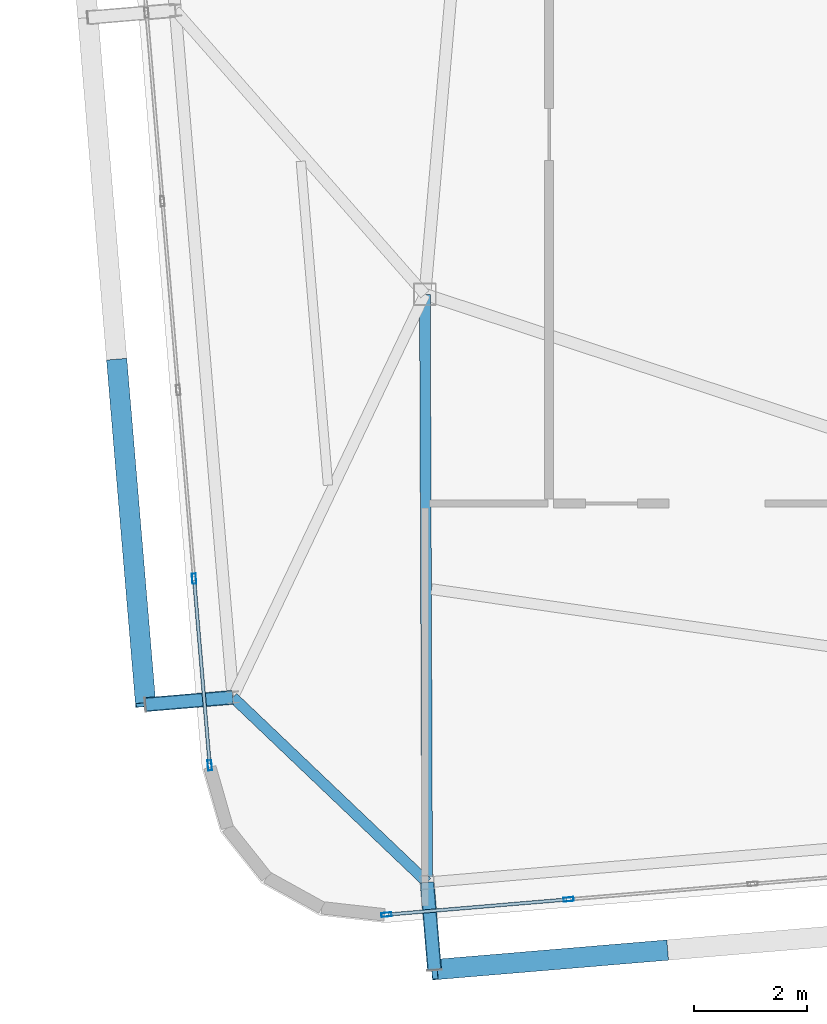
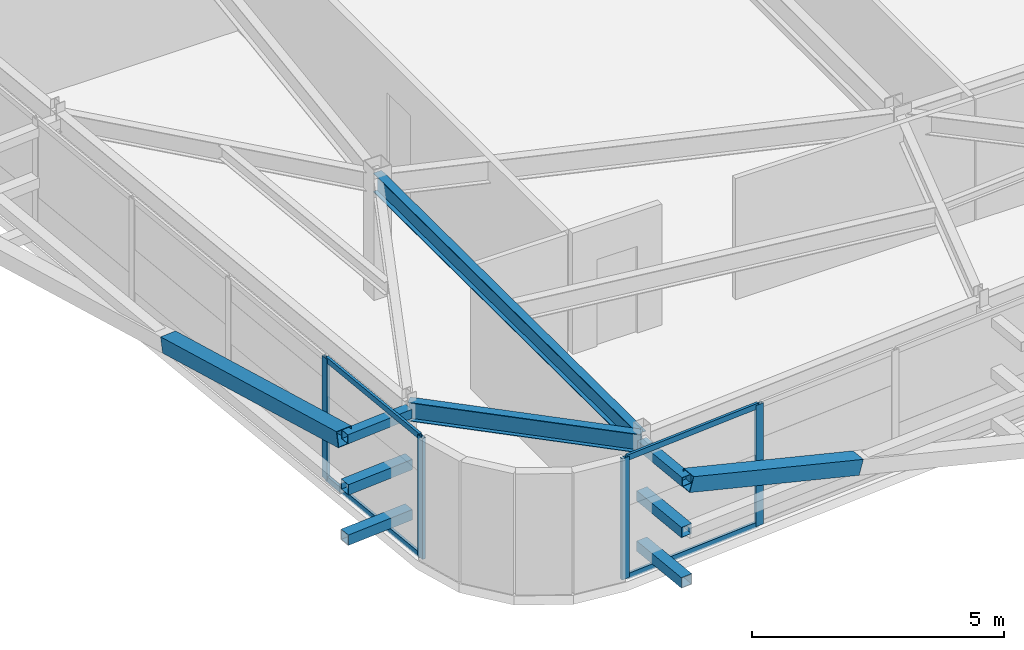
# One storey, part 7 of 46: 16 members, 2 beams, 2 elements without a shape of their own.
"""IFC4 building model written with IfcOpenShell, lengths in metres."""

from ifc_helpers import new_model, si_unit, direction, frame, origin, origin_2d, place, context, subcontext, project, spatial, hollow_rectangle, i_section, extrude, source, transform, mapped, material, layer, layer_set, material_profile, profile_set, type_object, element, aggregate, save


model = new_model("IFC4")

# Units and contexts
model_context = context("Model", 3, precision=1e-05, world=origin(), true_north=direction((0.0, 1.0)))
body_context = subcontext(model_context, "Body", "Model", "MODEL_VIEW")
ifc_project = project(units=[si_unit("LENGTHUNIT", "METRE"), si_unit("AREAUNIT", "SQUARE_METRE"), si_unit("VOLUMEUNIT", "CUBIC_METRE"), si_unit("PLANEANGLEUNIT", "RADIAN"), si_unit("MASSUNIT", "GRAM", prefix="KILO")], contexts=[model_context])

# Site, building, storey
site_placement = place(None, origin())
site = spatial("IfcSite", under=ifc_project, at=site_placement, CompositionType="ELEMENT")
building_placement = place(site_placement, origin())
building = spatial("IfcBuilding", under=site, at=building_placement, Name="Taldren Reach Tower", CompositionType="ELEMENT")
storey_placement = place(building_placement, frame((0.0, 0.0, 188.300048828125)))
storey = spatial("IfcBuildingStorey", under=building, at=storey_placement, Name="L57", CompositionType="ELEMENT", Elevation=188.300048828125)

# Members
ifc_material_1 = material(Name="Steel Gr 350 (C350L0)", Category="steel")
ifc_material_profile_1 = material_profile(ifc_material_1, hollow_rectangle(XDim=0.25, YDim=0.25, WallThickness=0.010009765625, at=origin_2d()), Name="250x250x10.0SHS")
ifc_profile_set_1 = profile_set([ifc_material_profile_1], Name="Steel Gr 350 (C350L0)")
member_type_1 = type_object("IfcMemberType", Name="MB-POST250", PredefinedType="POST", material=ifc_profile_set_1)
shared_shape_1 = source(origin(), body_context, "Body", "SweptSolid", [
    extrude(hollow_rectangle(XDim=0.25, YDim=0.25, WallThickness=0.010009765625, at=origin_2d()), origin(), (0.0, 0.0, 1.0), 1.5498046875),
])
for number, where, z_axis, x_axis, name in (
    (1, (18.03955078125, 2.093994140625, 0.219970703125), (0.083801560254, -0.996482462715, 0.0), (0.996482462715, 0.083801560254, 0.0), "Exoskeleton base diaphragm tie strut B4-S1 L57"),
    (2, (18.03955078125, 2.093994140625, 1.43505859375), (0.083801560254, -0.996482462715, 0.0), (0.996482462715, 0.083801560254, 0.0), "Exoskeleton mid-tier diaphragm tie B4-S1 L57"),
):
    element("IfcMember", number, at=place(storey_placement, frame(where, z_axis=z_axis, x_axis=x_axis)), inside=storey, type_object=member_type_1, Name=name, PredefinedType="POST", context=body_context, shape_type="MappedRepresentation", body=[
        mapped(shared_shape_1, transform((0.0, 0.0, 0.0), scale=1.0)),
    ])

# Beams
ifc_material_2 = material(Name="Steel Gr 350 (350PLUS)", Category="steel")
ifc_material_profile_2 = material_profile(ifc_material_2, i_section(OverallWidth=0.18994140625, OverallDepth=0.4541015625, WebThickness=0.008544921875, FlangeThickness=0.0126953125, at=origin_2d()), Name="460UB67.1")
ifc_profile_set_2 = profile_set([ifc_material_profile_2], Name="Steel Gr 350 (350PLUS)")
beam_type_1 = type_object("IfcBeamType", Name="SP-UB460B", PredefinedType="SPANDREL", material=ifc_profile_set_2)
shared_shape_2 = source(origin(), body_context, "Body", "SweptSolid", [
    extrude(i_section(OverallWidth=0.18994140625, OverallDepth=0.4541015625, WebThickness=0.008544921875, FlangeThickness=0.0126953125, at=origin_2d()), origin(), (0.0, 0.0, 1.0), 4.745849609375),
])
beam_1_placement = place(storey_placement, frame((14.603759765625, 5.367919921875, 2.702880859375), z_axis=(0.723954399605, -0.689847829084, 0.0), x_axis=(0.689847829084, 0.723954399605, 0.0)))
element("IfcBeam", 3, at=beam_1_placement, inside=storey, type_object=beam_type_1, Name="Perimeter spandrel B4 W1-S1 L57", PredefinedType="SPANDREL", context=body_context, shape_type="MappedRepresentation", body=[
    mapped(shared_shape_2, transform((0.0, 0.0, 0.0), scale=1.0)),
])
ifc_material_profile_3 = material_profile(ifc_material_2, i_section(OverallWidth=0.19091796875, OverallDepth=0.4599609375, WebThickness=0.010009765625, FlangeThickness=0.01611328125, at=origin_2d()), Name="460UB82.1")
ifc_profile_set_3 = profile_set([ifc_material_profile_3], Name="Steel Gr 350 (350PLUS)")
beam_type_2 = type_object("IfcBeamType", Name="BM-UB460A", PredefinedType="BEAM", material=ifc_profile_set_3)
shared_shape_3 = source(origin(), body_context, "Body", "SweptSolid", [
    extrude(i_section(OverallWidth=0.19091796875, OverallDepth=0.4599609375, WebThickness=0.010009765625, FlangeThickness=0.01611328125, at=origin_2d()), origin(), (0.0, 0.0, 1.0), 10.406005859375),
])
beam_2_placement = place(storey_placement, frame((18.0, 12.5, 2.699951171875), z_axis=(0.003800737393, -0.999992777172, 0.0), x_axis=(0.999992777172, 0.003800737393, 0.0)))
element("IfcBeam", 4, at=beam_2_placement, inside=storey, type_object=beam_type_2, Name="Primary floor girder B4-S1 L57", PredefinedType="BEAM", context=body_context, shape_type="MappedRepresentation", body=[
    mapped(shared_shape_3, transform((0.0, 0.0, 0.0), scale=1.0)),
])

# Members
ifc_material_3 = material(Name="Steel Gr 450 (C450L0)", Category="steel")
ifc_material_profile_4 = material_profile(ifc_material_3, hollow_rectangle(XDim=0.219970703125, YDim=0.219970703125, WallThickness=0.00830078125, at=origin_2d()), Name="220x220x8.2SHS")
ifc_profile_set_4 = profile_set([ifc_material_profile_4], Name="Steel Gr 450 (C450L0)")
member_type_2 = type_object("IfcMemberType", Name="MB-TIE219", PredefinedType="STRUT", material=ifc_profile_set_4)
shared_shape_4 = source(origin(), body_context, "Body", "SweptSolid", [
    extrude(hollow_rectangle(XDim=0.219970703125, YDim=0.219970703125, WallThickness=0.00830078125, at=origin_2d()), origin(), (0.0, 0.0, 1.0), 1.5498046875),
])
member_1_placement = place(storey_placement, frame((18.03955078125, 2.093994140625, 2.64990234375), z_axis=(0.083801560254, -0.996482462715, 0.0), x_axis=(0.996482462715, 0.083801560254, 0.0)))
element("IfcMember", 5, at=member_1_placement, inside=storey, type_object=member_type_2, Name="Exoskeleton diaphragm tie strut B4-S1 L57", PredefinedType="STRUT", context=body_context, shape_type="MappedRepresentation", body=[
    mapped(shared_shape_4, transform((0.0, 0.0, 0.0), scale=1.0)),
])
shared_shape_5 = source(origin(), body_context, "Body", "SweptSolid", [
    extrude(hollow_rectangle(XDim=0.219970703125, YDim=0.219970703125, WallThickness=0.00830078125, at=origin_2d()), origin(), (0.0, 0.0, 1.0), 1.54541015625),
])
member_2_placement = place(storey_placement, frame((14.59912109375, 5.36767578125, 2.64990234375), z_axis=(-0.99648887425, -0.083725285883, 0.0), x_axis=(0.083725285883, -0.99648887425, 0.0)))
element("IfcMember", 6, at=member_2_placement, inside=storey, type_object=member_type_2, Name="Exoskeleton diaphragm tie strut B4-W1 L57", PredefinedType="STRUT", context=body_context, shape_type="MappedRepresentation", body=[
    mapped(shared_shape_5, transform((0.0, 0.0, 0.0), scale=1.0)),
])
shared_shape_6 = source(origin(), body_context, "Body", "SweptSolid", [
    extrude(hollow_rectangle(XDim=0.25, YDim=0.25, WallThickness=0.010009765625, at=origin_2d()), origin(), (0.0, 0.0, 1.0), 1.54541015625),
])
for number, where, z_axis, x_axis, name in (
    (7, (14.59912109375, 5.36767578125, 0.219970703125), (-0.99648887425, -0.083725285883, 0.0), (0.083725285883, -0.99648887425, 0.0), "Exoskeleton base diaphragm tie strut B4-W1 L57"),
    (8, (14.59912109375, 5.36767578125, 1.43505859375), (-0.99648887425, -0.083725285883, 0.0), (0.083725285883, -0.99648887425, 0.0), "Exoskeleton mid-tier diaphragm tie B4-W1 L57"),
):
    element("IfcMember", number, at=place(storey_placement, frame(where, z_axis=z_axis, x_axis=x_axis)), inside=storey, type_object=member_type_1, Name=name, PredefinedType="POST", context=body_context, shape_type="MappedRepresentation", body=[
        mapped(shared_shape_6, transform((0.0, 0.0, 0.0), scale=1.0)),
    ])
ifc_material_profile_5 = material_profile(ifc_material_3, hollow_rectangle(XDim=0.360107421875, YDim=0.360107421875, WallThickness=0.0126953125, at=origin_2d()), Name="360x360x12.7SHS")
ifc_profile_set_5 = profile_set([ifc_material_profile_5], Name="Steel Gr 450 (C450L0)")
member_type_3 = type_object("IfcMemberType", Name="MB-EXO356", PredefinedType="BRACE", material=ifc_profile_set_5)
shared_shape_7 = source(origin(), body_context, "Body", "SweptSolid", [
    extrude(hollow_rectangle(XDim=0.360107421875, YDim=0.360107421875, WallThickness=0.0126953125, at=origin_2d()), origin(), (0.0, 0.0, 1.0), 4.2666015625),
])
member_3_placement = place(storey_placement, frame((22.2451171875, 0.8916015625, 1.43505859375), z_axis=(-0.955249107127, -0.080166766448, 0.284732212595), x_axis=(0.083628388178, -0.996497010879, 0.0)))
element("IfcMember", 9, at=member_3_placement, inside=storey, type_object=member_type_3, Name="Exoskeleton Diagrid Brace B4-S1 L57", PredefinedType="BRACE", context=body_context, shape_type="MappedRepresentation", body=[
    mapped(shared_shape_7, transform((0.0, 0.0, 0.0), scale=1.0)),
])
shared_shape_8 = source(origin(), body_context, "Body", "SweptSolid", [
    extrude(hollow_rectangle(XDim=0.360107421875, YDim=0.360107421875, WallThickness=0.0126953125, at=origin_2d()), origin(), (0.0, 0.0, 1.0), 6.2197265625),
])
member_4_placement = place(storey_placement, frame((12.548583984375, 11.31689453125, 1.43505859375), z_axis=(0.082076194186, -0.977299417909, 0.19531857593), x_axis=(0.996492003099, 0.083688038336, 0.0)))
element("IfcMember", 10, at=member_4_placement, inside=storey, type_object=member_type_3, Name="Exoskeleton Diagrid Brace B4-W1 L57", PredefinedType="BRACE", context=body_context, shape_type="MappedRepresentation", body=[
    mapped(shared_shape_8, transform((0.0, 0.0, 0.0), scale=1.0)),
])

# Curtain wall, members
ifc_material_4 = material(Name="Aluminium and Low-E Glass Unitised System", Category="aluminium")
ifc_layer = layer(ifc_material_4, 0.159912109375)
ifc_layer_set = layer_set([ifc_layer], Name="Aluminium and Low-E Glass Unitised System")
curtain_wall_type = type_object("IfcCurtainWallType", Name="CW-SYS-5", PredefinedType="NOTDEFINED", material=ifc_layer_set)
curtain_wall_1_placement = place(storey_placement, origin())
curtain_wall_1 = element("IfcCurtainWall", 11, at=curtain_wall_1_placement, inside=storey, type_object=curtain_wall_type, Name="Unitised curtain wall CW-L57-S", PredefinedType="NOTDEFINED")
ifc_material_5 = material(Name="Anodised Aluminium 6063-T6", Category="aluminium")
ifc_material_profile_6 = material_profile(ifc_material_5, hollow_rectangle(XDim=0.070068359375, YDim=0.179931640625, WallThickness=0.00390625, at=origin_2d()), Name="ALU-180x70x4RHS")
ifc_profile_set_6 = profile_set([ifc_material_profile_6], Name="Anodised Aluminium 6063-T6")
member_type_4 = type_object("IfcMemberType", Name="CW-MUL-180", PredefinedType="MULLION", material=ifc_profile_set_6)
shared_shape_9 = source(origin(), body_context, "Body", "SweptSolid", [
    extrude(hollow_rectangle(XDim=0.070068359375, YDim=0.179931640625, WallThickness=0.00390625, at=origin_2d()), origin(), (0.0, 0.0, 1.0), 2.929931640625),
])
member_5_placement = place(storey_placement, frame((17.320068359375, 1.521728515625, 0.0), z_axis=(0.0, 0.0, 1.0), x_axis=(-0.083677894865, 0.996492854922, 0.0)))
member_5 = element("IfcMember", 12, at=member_5_placement, type_object=member_type_4, Name="CW-5 mullion 1", PredefinedType="MULLION", context=body_context, shape_type="MappedRepresentation", body=[
    mapped(shared_shape_9, transform((0.0, 0.0, 0.0), scale=1.0)),
])
member_6_placement = place(storey_placement, frame((20.54296875, 1.79248046875, 0.0), z_axis=(0.0, 0.0, 1.0), x_axis=(-0.083677894865, 0.996492854922, 0.0)))
member_6 = element("IfcMember", 13, at=member_6_placement, type_object=member_type_4, Name="CW-5 mullion 2", PredefinedType="MULLION", context=body_context, shape_type="MappedRepresentation", body=[
    mapped(shared_shape_9, transform((0.0, 0.0, 0.0), scale=1.0)),
])

curtain_wall_2_placement = place(storey_placement, origin())
curtain_wall_2 = element("IfcCurtainWall", 14, at=curtain_wall_2_placement, inside=storey, type_object=curtain_wall_type, Name="Unitised curtain wall CW-L57-W", PredefinedType="NOTDEFINED")
member_7_placement = place(storey_placement, frame((13.91552734375, 7.4677734375, 0.0), z_axis=(0.0, 0.0, 1.0), x_axis=(0.996492847789, 0.083677979808, 0.0)))
member_7 = element("IfcMember", 15, at=member_7_placement, type_object=member_type_4, Name="CW-5 mullion 8", PredefinedType="MULLION", context=body_context, shape_type="MappedRepresentation", body=[
    mapped(shared_shape_9, transform((0.0, 0.0, 0.0), scale=1.0)),
])
member_8_placement = place(storey_placement, frame((14.19287109375, 4.164306640625, 0.0), z_axis=(0.0, 0.0, 1.0), x_axis=(0.996492847789, 0.083677979808, 0.0)))
member_8 = element("IfcMember", 16, at=member_8_placement, type_object=member_type_4, Name="CW-5 mullion 9", PredefinedType="MULLION", context=body_context, shape_type="MappedRepresentation", body=[
    mapped(shared_shape_9, transform((0.0, 0.0, 0.0), scale=1.0)),
])

# Member
ifc_material_profile_7 = material_profile(ifc_material_5, hollow_rectangle(XDim=0.06005859375, YDim=0.135009765625, WallThickness=0.00341796875, at=origin_2d()), Name="ALU-135x60x3.5RHS")
ifc_profile_set_7 = profile_set([ifc_material_profile_7], Name="Anodised Aluminium 6063-T6")
member_type_5 = type_object("IfcMemberType", Name="CW-TRN-150", PredefinedType="USERDEFINED", material=ifc_profile_set_7)
shared_shape_10 = source(origin(), body_context, "Body", "SweptSolid", [
    extrude(hollow_rectangle(XDim=0.06005859375, YDim=0.135009765625, WallThickness=0.00341796875, at=origin_2d()), origin(), (0.0, 0.0, 1.0), 3.1640625),
])
member_9_placement = place(storey_placement, frame((17.35498046875, 1.524658203125, 0.030029296875), z_axis=(0.996489659996, 0.083715933496, 0.0), x_axis=(-0.083715933496, 0.996489659996, 0.0)))
member_9 = element("IfcMember", 17, at=member_9_placement, type_object=member_type_5, Name="CW-5 transom 1.1", ObjectType="TRANSOM", PredefinedType="USERDEFINED", context=body_context, shape_type="MappedRepresentation", body=[
    mapped(shared_shape_10, transform((0.0, 0.0, 0.0), scale=1.0)),
])

member_10_placement = place(storey_placement, frame((17.35498046875, 1.524658203125, 2.89990234375), z_axis=(0.996489659996, 0.083715933496, 0.0), x_axis=(-0.083715933496, 0.996489659996, 0.0)))
member_10 = element("IfcMember", 18, at=member_10_placement, type_object=member_type_5, Name="CW-5 transom 1.2", ObjectType="TRANSOM", PredefinedType="USERDEFINED", context=body_context, shape_type="MappedRepresentation", body=[
    mapped(shared_shape_10, transform((0.0, 0.0, 0.0), scale=1.0)),
])

aggregate(curtain_wall_1, [member_5, member_6, member_9, member_10])

shared_shape_11 = source(origin(), body_context, "Body", "SweptSolid", [
    extrude(hollow_rectangle(XDim=0.06005859375, YDim=0.135009765625, WallThickness=0.00341796875, at=origin_2d()), origin(), (0.0, 0.0, 1.0), 3.2451171875),
])
member_11_placement = place(storey_placement, frame((13.91845703125, 7.432861328125, 0.030029296875), z_axis=(0.083661876203, -0.996494199918, 0.0), x_axis=(0.996494199918, 0.083661876203, 0.0)))
member_11 = element("IfcMember", 19, at=member_11_placement, type_object=member_type_5, Name="CW-5 transom 8.1", ObjectType="TRANSOM", PredefinedType="USERDEFINED", context=body_context, shape_type="MappedRepresentation", body=[
    mapped(shared_shape_11, transform((0.0, 0.0, 0.0), scale=1.0)),
])

member_12_placement = place(storey_placement, frame((13.91845703125, 7.432861328125, 2.89990234375), z_axis=(0.083661876203, -0.996494199918, 0.0), x_axis=(0.996494199918, 0.083661876203, 0.0)))
member_12 = element("IfcMember", 20, at=member_12_placement, type_object=member_type_5, Name="CW-5 transom 8.2", ObjectType="TRANSOM", PredefinedType="USERDEFINED", context=body_context, shape_type="MappedRepresentation", body=[
    mapped(shared_shape_11, transform((0.0, 0.0, 0.0), scale=1.0)),
])

aggregate(curtain_wall_2, [member_7, member_8, member_11, member_12])

save(model, "model.ifc")
